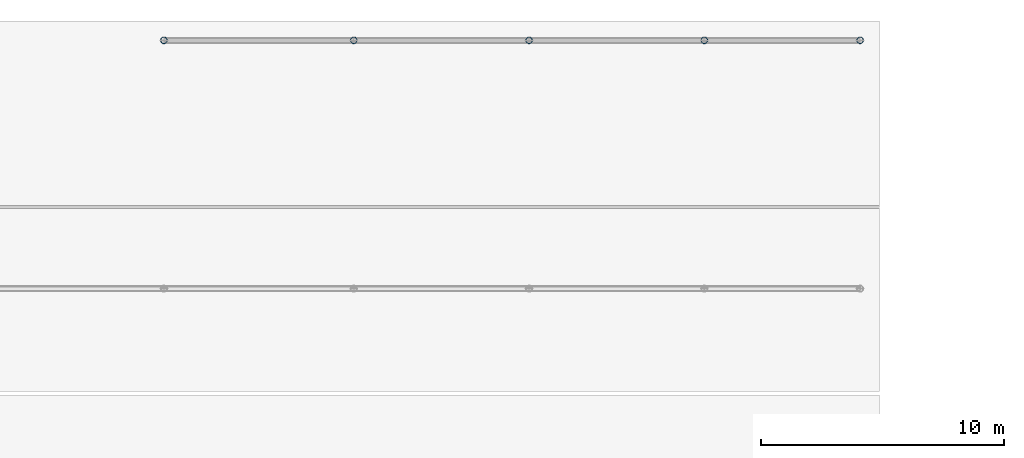
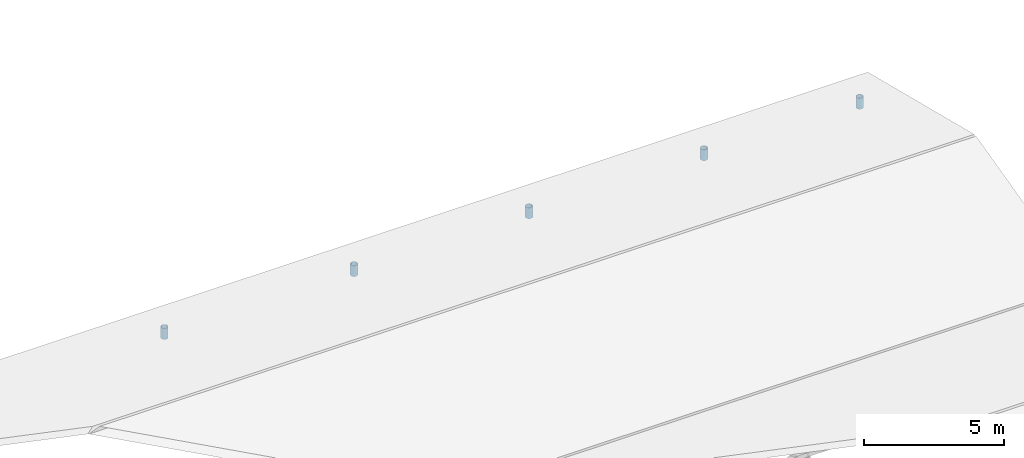
# One storey, part 15 of 91: 5 columns.
"""IFC4 building model written with IfcOpenShell, lengths in metres."""

from ifc_helpers import new_model, si_unit, direction, frame, origin, origin_2d, place, context, subcontext, project, spatial, hollow_circle, extrude, material, material_profile, profile_set, type_object, element, save


model = new_model("IFC4")

# Units and contexts
model_context = context("Model", 3, precision=1e-05, world=origin(), true_north=direction((0.0, 1.0)))
body_context = subcontext(model_context, "Body", "Model", "MODEL_VIEW")
ifc_project = project(units=[si_unit("LENGTHUNIT", "METRE"), si_unit("AREAUNIT", "SQUARE_METRE"), si_unit("VOLUMEUNIT", "CUBIC_METRE"), si_unit("PLANEANGLEUNIT", "RADIAN"), si_unit("MASSUNIT", "GRAM", prefix="KILO")], contexts=[model_context])

# Site, building, storey
site_placement = place(None, origin())
site = spatial("IfcSite", under=ifc_project, at=site_placement, CompositionType="ELEMENT")
building_placement = place(site_placement, origin())
building = spatial("IfcBuilding", under=site, at=building_placement, Name="Valcora Specialist Clinic", CompositionType="ELEMENT")
storey_placement = place(building_placement, frame((0.0, 0.0, 13.60009765625)))
storey = spatial("IfcBuildingStorey", under=building, at=storey_placement, Name="L03", CompositionType="ELEMENT", Elevation=13.60009765625)

# Columns
ifc_material = material(Name="Steel ASTM A500 Grade C", Category="steel")
ifc_material_profile = material_profile(ifc_material, hollow_circle(Radius=0.136474609375, WallThickness=0.011962890625, at=origin_2d()), Name="ST-CHS-273X12")
ifc_profile_set = profile_set([ifc_material_profile], Name="Steel ASTM A500 Grade C")
column_type = type_object("IfcColumnType", Name="TY-COL-CHS273", PredefinedType="COLUMN", material=ifc_profile_set)
for number, where, z_axis, x_axis, name in (
    (1, (16.199951171875, 110.0, 0.0), (0.0, 0.0, 1.0), (1.0, 0.0, 0.0), "Folded roof stub post 16.2-110.0"),
    (2, (24.0, 110.0, 0.0), (0.0, 0.0, 1.0), (1.0, 0.0, 0.0), "Folded roof stub post 24.0-110.0"),
    (3, (31.199951171875, 110.0, 0.0), (0.0, 0.0, 1.0), (1.0, 0.0, 0.0), "Folded roof stub post 31.2-110.0"),
    (4, (38.39990234375, 110.0, 0.0), (0.0, 0.0, 1.0), (1.0, 0.0, 0.0), "Folded roof stub post 38.4-110.0"),
    (5, (44.800048828125, 110.0, 0.0), (0.0, 0.0, 1.0), (1.0, 0.0, 0.0), "Folded roof stub post 44.8-110.0"),
):
    element("IfcColumn", number, at=place(storey_placement, frame(where, z_axis=z_axis, x_axis=x_axis)), inside=storey, type_object=column_type, Name=name, PredefinedType="COLUMN", context=body_context, shape_type="SweptSolid", body=[
        extrude(hollow_circle(Radius=0.136474609375, WallThickness=0.011962890625, at=origin_2d()), origin(), (0.0, 0.0, 1.0), 0.474365234375),
    ])

save(model, "model.ifc")
